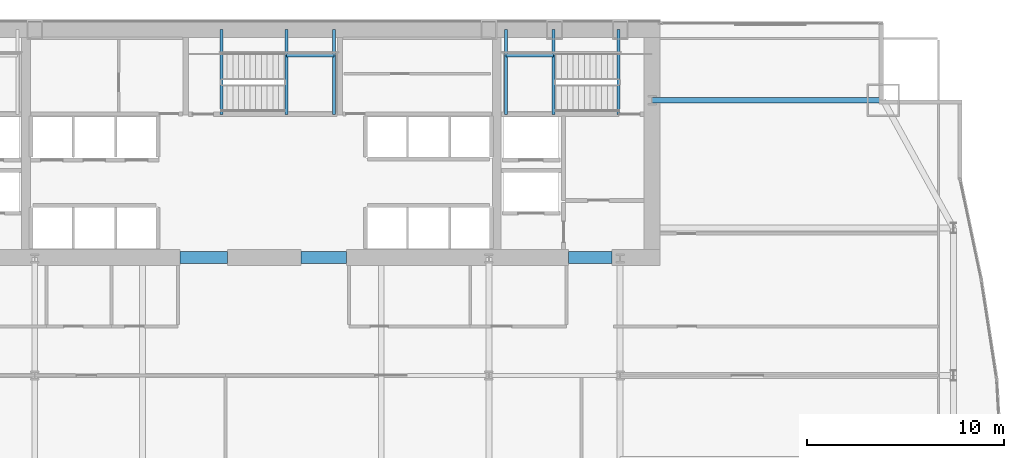
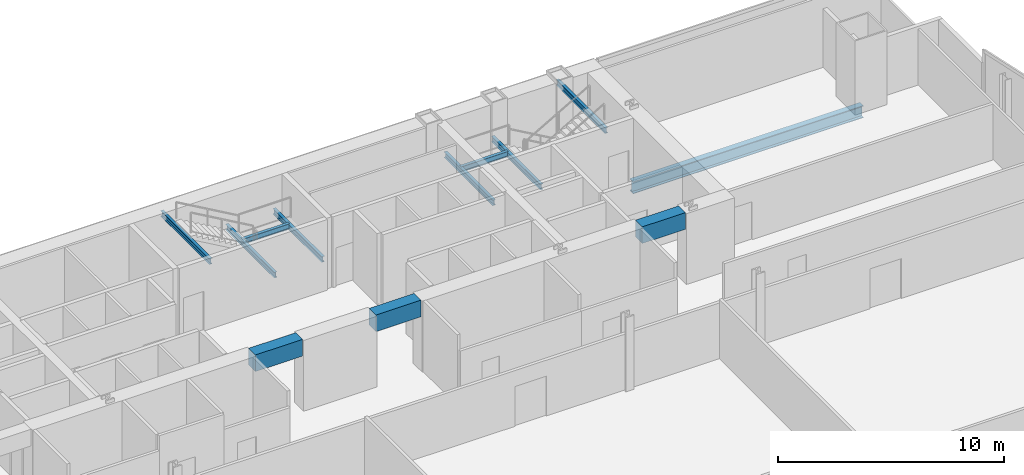
# One storey, part 19 of 35: 12 beams.
"""IFC4 building model written with IfcOpenShell, lengths in metres."""

from ifc_helpers import new_model, si_unit, direction, frame, origin, origin_2d, place, context, subcontext, project, spatial, rectangle, i_section, extrude, material, material_profile, profile_set, type_object, element, save


model = new_model("IFC4")

# Units and contexts
model_context = context("Model", 3, precision=1e-05, world=origin(), true_north=direction((0.0, 1.0)))
body_context = subcontext(model_context, "Body", "Model", "MODEL_VIEW")
ifc_project = project(units=[si_unit("LENGTHUNIT", "METRE"), si_unit("AREAUNIT", "SQUARE_METRE"), si_unit("VOLUMEUNIT", "CUBIC_METRE"), si_unit("PLANEANGLEUNIT", "RADIAN"), si_unit("MASSUNIT", "GRAM", prefix="KILO")], contexts=[model_context])

# Site, building, storey
site_placement = place(None, origin())
site = spatial("IfcSite", under=ifc_project, at=site_placement, CompositionType="ELEMENT")
building_placement = place(site_placement, origin())
building = spatial("IfcBuilding", under=site, at=building_placement, Name="Khoronbel Lancet Exchange", CompositionType="ELEMENT")
storey_placement = place(building_placement, frame((0.0, 0.0, 53.800048828125)))
storey = spatial("IfcBuildingStorey", under=building, at=storey_placement, Name="L12", CompositionType="ELEMENT", Elevation=53.800048828125)

# Beams
ifc_material_1 = material(Name="Steel S355", Category="steel")
ifc_material_profile_1 = material_profile(ifc_material_1, i_section(OverallWidth=0.14990234375, OverallDepth=0.300048828125, WebThickness=0.007080078125, FlangeThickness=0.0107421875, at=origin_2d()), Name="IPE 300")
ifc_profile_set_1 = profile_set([ifc_material_profile_1], Name="Steel S355")
beam_type_1 = type_object("IfcBeamType", Name="BM-BJ8", PredefinedType="JOIST", material=ifc_profile_set_1)
for number, where, z_axis, x_axis, name in (
    (1, (51.2900390625, 48.97998046875, 1.64990234375), (0.0, 1.0, 0.0), (-1.0, 0.0, 0.0), "Level L12 stair ST2 landing bearer beam 1"),
    (2, (48.8701171875, 48.97998046875, 1.64990234375), (0.0, 1.0, 0.0), (-1.0, 0.0, 0.0), "Level L12 stair ST2 rear landing bearer beam 1"),
):
    element("IfcBeam", number, at=place(storey_placement, frame(where, z_axis=z_axis, x_axis=x_axis)), inside=storey, type_object=beam_type_1, Name=name, PredefinedType="JOIST", context=body_context, shape_type="SweptSolid", body=[
        extrude(i_section(OverallWidth=0.14990234375, OverallDepth=0.300048828125, WebThickness=0.007080078125, FlangeThickness=0.0107421875, at=origin_2d()), origin(), (0.0, 0.0, 1.0), 4.320068359375),
    ])
beam_1_placement = place(storey_placement, frame((48.8701171875, 51.97998046875, 1.64990234375), z_axis=(1.0, 0.0, 0.0), x_axis=(0.0, 1.0, 0.0)))
element("IfcBeam", 3, at=beam_1_placement, inside=storey, type_object=beam_type_1, Name="Level L12 stair ST2 landing cross trimmer beam 1", PredefinedType="JOIST", context=body_context, shape_type="SweptSolid", body=[
    extrude(i_section(OverallWidth=0.14990234375, OverallDepth=0.300048828125, WebThickness=0.007080078125, FlangeThickness=0.0107421875, at=origin_2d()), origin(), (0.0, 0.0, 1.0), 2.419921875),
])
for number, where, z_axis, x_axis, name in (
    (4, (54.60009765625, 48.97998046875, 3.5400390625), (0.0, 1.0, 0.0), (-1.0, 0.0, 0.0), "Level L12 stair ST2 upper-flight arrival trimmer beam"),
    (5, (37.7099609375, 48.97998046875, 1.64990234375), (0.0, 1.0, 0.0), (-1.0, 0.0, 0.0), "Level L12 stair ST3 landing bearer beam 1"),
    (6, (40.1298828125, 48.97998046875, 1.64990234375), (0.0, 1.0, 0.0), (-1.0, 0.0, 0.0), "Level L12 stair ST3 rear landing bearer beam 1"),
):
    element("IfcBeam", number, at=place(storey_placement, frame(where, z_axis=z_axis, x_axis=x_axis)), inside=storey, type_object=beam_type_1, Name=name, PredefinedType="JOIST", context=body_context, shape_type="SweptSolid", body=[
        extrude(i_section(OverallWidth=0.14990234375, OverallDepth=0.300048828125, WebThickness=0.007080078125, FlangeThickness=0.0107421875, at=origin_2d()), origin(), (0.0, 0.0, 1.0), 4.320068359375),
    ])
beam_2_placement = place(storey_placement, frame((37.7099609375, 51.97998046875, 1.64990234375), z_axis=(1.0, 0.0, 0.0), x_axis=(0.0, 1.0, 0.0)))
element("IfcBeam", 7, at=beam_2_placement, inside=storey, type_object=beam_type_1, Name="Level L12 stair ST3 landing cross trimmer beam 1", PredefinedType="JOIST", context=body_context, shape_type="SweptSolid", body=[
    extrude(i_section(OverallWidth=0.14990234375, OverallDepth=0.300048828125, WebThickness=0.007080078125, FlangeThickness=0.0107421875, at=origin_2d()), origin(), (0.0, 0.0, 1.0), 2.419921875),
])
beam_3_placement = place(storey_placement, frame((34.39990234375, 48.97998046875, 3.5400390625), z_axis=(0.0, 1.0, 0.0), x_axis=(-1.0, 0.0, 0.0)))
element("IfcBeam", 8, at=beam_3_placement, inside=storey, type_object=beam_type_1, Name="Level L12 stair ST3 upper-flight arrival trimmer beam", PredefinedType="JOIST", context=body_context, shape_type="SweptSolid", body=[
    extrude(i_section(OverallWidth=0.14990234375, OverallDepth=0.300048828125, WebThickness=0.007080078125, FlangeThickness=0.0107421875, at=origin_2d()), origin(), (0.0, 0.0, 1.0), 4.320068359375),
])
ifc_material_2 = material(Name="Concrete C80/95", Category="concrete")
ifc_material_profile_2 = material_profile(ifc_material_2, rectangle(XDim=0.60009765625, YDim=0.89990234375, at=origin_2d()), Name="RC 600x900")
ifc_profile_set_2 = profile_set([ifc_material_profile_2], Name="Concrete C80/95")
beam_type_2 = type_object("IfcBeamType", Name="BM-BL1", PredefinedType="LINTEL", material=ifc_profile_set_2)
beam_4_placement = place(storey_placement, frame((32.300048828125, 41.699951171875, 3.369873046875), z_axis=(1.0, 0.0, 0.0), x_axis=(0.0, 1.0, 0.0)))
element("IfcBeam", 9, at=beam_4_placement, inside=storey, type_object=beam_type_2, Name="Level L12 rear core coupling lintel L2", PredefinedType="LINTEL", context=body_context, shape_type="SweptSolid", body=[
    extrude(rectangle(XDim=0.60009765625, YDim=0.89990234375, at=origin_2d()), origin(), (0.0, 0.0, 1.0), 2.39990234375),
])
beam_5_placement = place(storey_placement, frame((38.449951171875, 41.699951171875, 3.369873046875), z_axis=(1.0, 0.0, 0.0), x_axis=(0.0, 1.0, 0.0)))
element("IfcBeam", 10, at=beam_5_placement, inside=storey, type_object=beam_type_2, Name="Level L12 rear core coupling lintel L3", PredefinedType="LINTEL", context=body_context, shape_type="SweptSolid", body=[
    extrude(rectangle(XDim=0.60009765625, YDim=0.89990234375, at=origin_2d()), origin(), (0.0, 0.0, 1.0), 2.300048828125),
])
beam_6_placement = place(storey_placement, frame((52.050048828125, 41.699951171875, 3.369873046875), z_axis=(1.0, 0.0, 0.0), x_axis=(0.0, 1.0, 0.0)))
element("IfcBeam", 11, at=beam_6_placement, inside=storey, type_object=beam_type_2, Name="Level L12 rear core coupling lintel L4", PredefinedType="LINTEL", context=body_context, shape_type="SweptSolid", body=[
    extrude(rectangle(XDim=0.60009765625, YDim=0.89990234375, at=origin_2d()), origin(), (0.0, 0.0, 1.0), 2.199951171875),
])
ifc_material_profile_3 = material_profile(ifc_material_1, i_section(OverallWidth=0.300048828125, OverallDepth=0.64990234375, WebThickness=0.01611328125, FlangeThickness=0.031005859375, at=origin_2d()), Name="HEB 650")
ifc_profile_set_3 = profile_set([ifc_material_profile_3], Name="Steel S355")
beam_type_3 = type_object("IfcBeamType", Name="BM-BSP1", PredefinedType="SPANDREL", material=ifc_profile_set_3)
beam_7_placement = place(storey_placement, frame((68.050048828125, 49.699951171875, -0.505126953125), z_axis=(-1.0, 0.0, 0.0), x_axis=(0.0, -1.0, 0.0)))
element("IfcBeam", 12, at=beam_7_placement, inside=storey, type_object=beam_type_3, Name="Level L12 north flank tie spandrel SP23", PredefinedType="SPANDREL", context=body_context, shape_type="SweptSolid", body=[
    extrude(i_section(OverallWidth=0.300048828125, OverallDepth=0.64990234375, WebThickness=0.01611328125, FlangeThickness=0.031005859375, at=origin_2d()), origin(), (0.0, 0.0, 1.0), 11.75),
])

save(model, "model.ifc")
